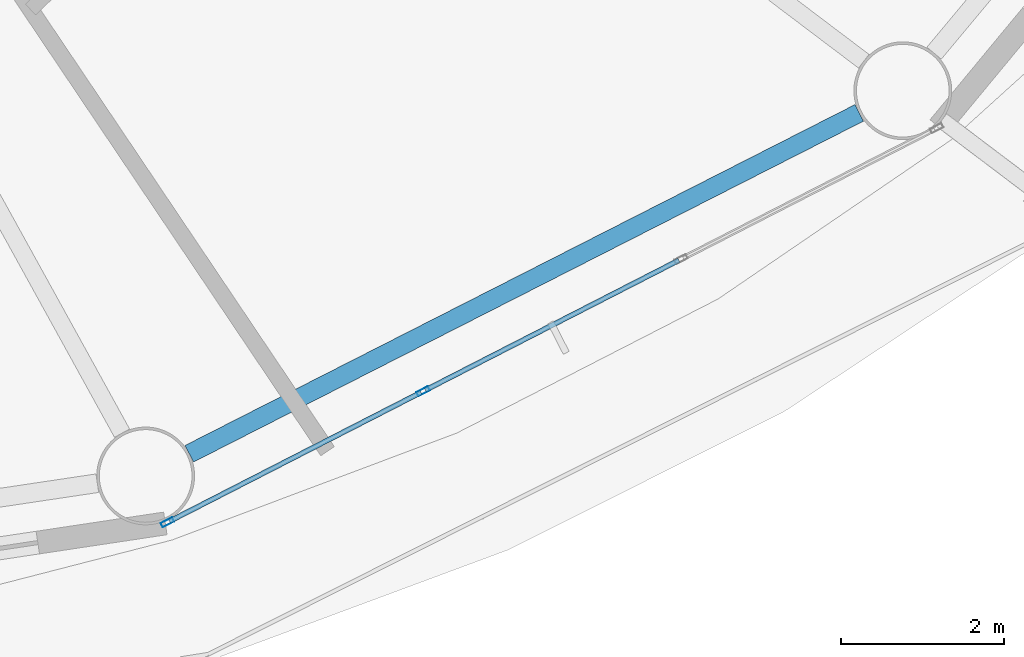
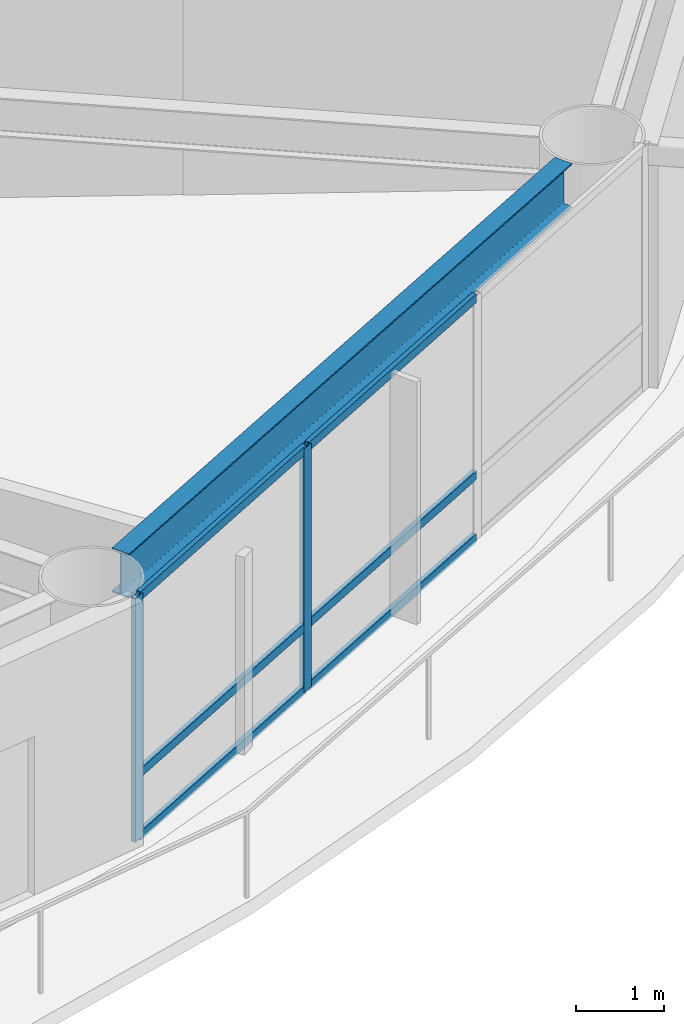
# One storey, part 4 of 24: 8 members, 1 beam, 1 element without a shape of its own.
"""IFC4 building model written with IfcOpenShell, lengths in metres."""

import ifcopenshell
import ifcopenshell.guid

model = None  # the IFC model being written
_history = None  # IfcOwnerHistory: only IFC2X3 demands one
_inside = {}  # id of a spatial element -> (the spatial element, [elements in it])
_under = {}  # id of a project, library or spatial element -> (it, [spatial elements below it])
_declared = {}  # id of a project -> (the project, [libraries it declares])
_typed = {}  # id of a type object -> (the type object, [elements of that type])
_made_of = {}  # id of a material, layer set ... -> (it, [elements and type objects made of it])


def new_model(schema):
    """Start an empty IFC model of exactly this schema.

    Asked for "IFC4X3", IfcOpenShell would pick the latest addendum, in which some entities
    have other attributes; the version numbers below select the first issue.
    IFC2X3 requires an IfcOwnerHistory on every rooted entity: one is made here for all.
    """
    global model, _history
    if schema == "IFC4X3":
        model = ifcopenshell.file(schema_version=(4, 3, 0, 0))
    else:
        model = ifcopenshell.file(schema=schema)
    _inside.clear()
    _under.clear()
    _declared.clear()
    _typed.clear()
    _made_of.clear()
    _history = None
    if model.schema == "IFC2X3":
        org = make("IfcOrganization", Name="unknown")
        user = make(
            "IfcPersonAndOrganization",
            ThePerson=make("IfcPerson", FamilyName="unknown"),
            TheOrganization=org,
        )
        app = make(
            "IfcApplication",
            ApplicationDeveloper=org,
            Version="unknown",
            ApplicationFullName="unknown",
            ApplicationIdentifier="unknown",
        )
        _history = make(
            "IfcOwnerHistory",
            OwningUser=user,
            OwningApplication=app,
            ChangeAction="ADDED",
            CreationDate=0,
        )
    return model


def make(cls, **values):
    """One entity of the class cls with the attributes given. An attribute that is None is left unset."""
    return model.create_entity(
        cls, **{name: value for name, value in values.items() if value is not None}
    )


def rooted(cls, **values):
    """An entity with a GlobalId (a new one), such as an element, a storey or a relation."""
    return make(cls, GlobalId=ifcopenshell.guid.new(), OwnerHistory=_history, **values)


def si_unit(unit_type, name, prefix=None):
    """IfcSIUnit, for example si_unit("LENGTHUNIT", "METRE", prefix="MILLI")."""
    return make("IfcSIUnit", UnitType=unit_type, Prefix=prefix, Name=name)


def assignment(units):
    """IfcUnitAssignment: the units of a project."""
    return None if units is None else make("IfcUnitAssignment", Units=units)


def point(xyz):
    """IfcCartesianPoint."""
    return None if xyz is None else make("IfcCartesianPoint", Coordinates=xyz)


def direction(xyz):
    """IfcDirection."""
    return None if xyz is None else make("IfcDirection", DirectionRatios=xyz)


def frame(location, z_axis=None, x_axis=None):
    """IfcAxis2Placement3D, a coordinate frame: its origin and axes. An axis left out is left unset."""
    return make(
        "IfcAxis2Placement3D",
        Location=point(location),
        Axis=direction(z_axis),
        RefDirection=direction(x_axis),
    )


def frame_2d(location, x_axis=None):
    """IfcAxis2Placement2D, a coordinate frame in the plane: its origin and x axis."""
    return make(
        "IfcAxis2Placement2D", Location=point(location), RefDirection=direction(x_axis)
    )


def origin():
    """The frame at (0, 0, 0) with its axes left unset."""
    return frame((0.0, 0.0, 0.0))


def origin_2d():
    """The frame at (0, 0) in the plane with its x axis left unset."""
    return frame_2d((0.0, 0.0))


def place(relative_to, where):
    """IfcLocalPlacement: puts the frame where relative to a parent placement (None: the world)."""
    return make(
        "IfcLocalPlacement", PlacementRelTo=relative_to, RelativePlacement=where
    )


def context(
    kind, dimensions, precision=None, world=None, true_north=None, identifier=None
):
    """IfcGeometricRepresentationContext, for example the 3D "Model" context."""
    return make(
        "IfcGeometricRepresentationContext",
        ContextIdentifier=identifier,
        ContextType=kind,
        CoordinateSpaceDimension=dimensions,
        Precision=precision,
        WorldCoordinateSystem=world,
        TrueNorth=true_north,
    )


def subcontext(parent, identifier, kind, view, scale=None):
    """IfcGeometricRepresentationSubContext, for example "Body" below "Model"."""
    return make(
        "IfcGeometricRepresentationSubContext",
        ContextIdentifier=identifier,
        ContextType=kind,
        ParentContext=parent,
        TargetScale=scale,
        TargetView=view,
    )


def project(units=None, contexts=None):
    """IfcProject with its units and contexts."""
    return rooted(
        "IfcProject",
        Name="project",
        RepresentationContexts=contexts,
        UnitsInContext=assignment(units),
    )


def spatial(cls, under=None, at=None, **own):
    """A site, building, storey or space (cls), placed at a placement, below another one or the project."""
    s = rooted(cls, ObjectPlacement=at, **own)
    if under is not None:
        _under.setdefault(under.id(), (under, []))[1].append(s)
    return s


def profile(cls, at=None, kind="AREA", **sizes):
    """A parametric profile (cls). Its sizes go by their IFC names, for example OverallWidth=200.0."""
    return make(cls, ProfileType=kind, Position=at, **sizes)


def hollow_rectangle(**sizes):
    """IfcRectangleHollowProfileDef."""
    return profile("IfcRectangleHollowProfileDef", **sizes)


def i_section(**sizes):
    """IfcIShapeProfileDef."""
    return profile("IfcIShapeProfileDef", **sizes)


def extrude(swept, where, along, depth):
    """IfcExtrudedAreaSolid: the profile swept, set in the frame where, extruded along a direction by depth."""
    return make(
        "IfcExtrudedAreaSolid",
        SweptArea=swept,
        Position=where,
        ExtrudedDirection=direction(along),
        Depth=depth,
    )


def shape(context_of_items, identifier, shape_type, items):
    """IfcShapeRepresentation: the items that make up one representation, for example the "Body"."""
    return make(
        "IfcShapeRepresentation",
        ContextOfItems=context_of_items,
        RepresentationIdentifier=identifier,
        RepresentationType=shape_type,
        Items=items,
    )


def material(Name=None, Category=None):
    """IfcMaterial."""
    return make("IfcMaterial", Name=Name, Category=Category)


def layer(
    of_material, thickness, ventilated=None, Name=None, Category=None, Priority=None
):
    """IfcMaterialLayer: one layer of a wall or slab, of a material (None: an air gap)."""
    return make(
        "IfcMaterialLayer",
        Material=of_material,
        LayerThickness=thickness,
        IsVentilated=ventilated,
        Name=Name,
        Category=Category,
        Priority=Priority,
    )


def layer_set(layers, Name=None):
    """IfcMaterialLayerSet."""
    return make("IfcMaterialLayerSet", MaterialLayers=layers, LayerSetName=Name)


def material_profile(
    of_material, cross_section, Name=None, Category=None, Priority=None
):
    """IfcMaterialProfile: a cross section and its material."""
    return make(
        "IfcMaterialProfile",
        Name=Name,
        Material=of_material,
        Profile=cross_section,
        Priority=Priority,
        Category=Category,
    )


def profile_set(profiles, Name=None, composite=None):
    """IfcMaterialProfileSet."""
    return make(
        "IfcMaterialProfileSet",
        Name=Name,
        MaterialProfiles=profiles,
        CompositeProfile=composite,
    )


def made_of(thing, what):
    """Note that an element or type object is made of a material, layer set ...; save() writes the relation."""
    if what is not None:
        _made_of.setdefault(what.id(), (what, []))[1].append(thing)
    return thing


def type_object(cls, material=None, **own):
    """A type object (cls), such as IfcWallType, which elements share."""
    return made_of(rooted(cls, **own), material)


def element(
    cls,
    number,
    at=None,
    inside=None,
    cuts=None,
    type_object=None,
    material=None,
    context=None,
    identifier="Body",
    shape_type=None,
    held_by="IfcProductDefinitionShape",
    body=None,
    shapes=None,
    **own,
):
    """One element of the class cls, such as IfcWall. Its Tag is "e" and its number.

    at: its placement. inside: the storey or other place that contains it. cuts: it is an
    opening in that element (IfcRelVoidsElement). A single representation is given by context,
    identifier, shape_type and body (its items); several are given by shapes. held_by: the class
    of the entity that holds the representations. save() writes the other relations.
    """
    e = rooted(cls, Tag="e%d" % number, ObjectPlacement=at, **own)
    if body is not None:
        shapes = [shape(context, identifier, shape_type, body)]
    if shapes is not None:
        e.Representation = make(held_by, Representations=shapes)
    if inside is not None:
        _inside.setdefault(inside.id(), (inside, []))[1].append(e)
    if cuts is not None:
        rooted(
            "IfcRelVoidsElement", RelatingBuildingElement=cuts, RelatedOpeningElement=e
        )
    if type_object is not None:
        _typed.setdefault(type_object.id(), (type_object, []))[1].append(e)
    return made_of(e, material)


def aggregate(whole, parts):
    """IfcRelAggregates: a whole, such as a stair, and the parts it consists of."""
    return rooted("IfcRelAggregates", RelatingObject=whole, RelatedObjects=parts)


def save(model, path):
    """Write the relations noted so far, then the file.

    IfcRelAggregates (storeys below a building ...), IfcRelContainedInSpatialStructure (elements
    in a storey), IfcRelDefinesByType, IfcRelAssociatesMaterial and IfcRelDeclares: one each for
    every whole, place, type object, material and project.
    """
    for whole, parts in _under.values():
        aggregate(whole, parts)
    for where, things in _inside.values():
        rooted(
            "IfcRelContainedInSpatialStructure",
            RelatedElements=things,
            RelatingStructure=where,
        )
    for kind, things in _typed.values():
        rooted("IfcRelDefinesByType", RelatedObjects=things, RelatingType=kind)
    for what, things in _made_of.values():
        rooted("IfcRelAssociatesMaterial", RelatedObjects=things, RelatingMaterial=what)
    for by, libraries in _declared.values():
        rooted("IfcRelDeclares", RelatingContext=by, RelatedDefinitions=libraries)
    model.write(path)


model = new_model("IFC4")

# Units and contexts
model_context = context("Model", 3, precision=1e-05, world=origin(), true_north=direction((0.0, 1.0)))
body_context = subcontext(model_context, "Body", "Model", "MODEL_VIEW")
ifc_project = project(units=[si_unit("LENGTHUNIT", "METRE"), si_unit("AREAUNIT", "SQUARE_METRE"), si_unit("VOLUMEUNIT", "CUBIC_METRE"), si_unit("PLANEANGLEUNIT", "RADIAN"), si_unit("MASSUNIT", "GRAM", prefix="KILO")], contexts=[model_context])

# Site, building, storey
site_placement = place(None, origin())
site = spatial("IfcSite", under=ifc_project, at=site_placement, CompositionType="ELEMENT")
building_placement = place(site_placement, origin())
building = spatial("IfcBuilding", under=site, at=building_placement, Name="Sarneth Arch Tower", CompositionType="ELEMENT")
storey_placement = place(building_placement, frame((0.0, 0.0, 105.60009765625)))
storey = spatial("IfcBuildingStorey", under=building, at=storey_placement, Name="L26", CompositionType="ELEMENT", Elevation=105.60009765625)

# Beam
ifc_material_1 = material(Name="Steel S355", Category="steel")
ifc_material_profile_1 = material_profile(ifc_material_1, i_section(OverallWidth=0.22900390625, OverallDepth=0.612060546875, WebThickness=0.011962890625, FlangeThickness=0.01953125, FilletRadius=0.01904296875, at=origin_2d()), Name="W610x125")
ifc_profile_set_1 = profile_set([ifc_material_profile_1], Name="Steel S355")
beam_type = type_object("IfcBeamType", Name="BM-SPAN-610C", PredefinedType="SPANDREL", material=ifc_profile_set_1)
beam_placement = place(storey_placement, frame((59.64501953125, 22.131591796875, 3.073974609375), z_axis=(0.891259443414, 0.453493775619, 0.0), x_axis=(-0.453493775619, 0.891259443414, 0.0)))
element("IfcBeam", 1, at=beam_placement, inside=storey, type_object=beam_type, Name="L26 Perimeter spandrel beam 14", PredefinedType="SPANDREL", context=body_context, shape_type="SweptSolid", body=[
    extrude(i_section(OverallWidth=0.22900390625, OverallDepth=0.612060546875, WebThickness=0.011962890625, FlangeThickness=0.01953125, FilletRadius=0.01904296875, at=origin_2d()), origin(), (0.0, 0.0, 1.0), 9.220458984375),
])

# Curtain wall, members
ifc_material_2 = material(Name="Anodised aluminium Type AA25 and solar-control low-e laminated IGU", Category="aluminium")
ifc_layer = layer(ifc_material_2, 0.159912109375)
ifc_layer_set = layer_set([ifc_layer], Name="Anodised aluminium Type AA25 and solar-control low-e laminated IGU")
curtain_wall_type = type_object("IfcCurtainWallType", Name="CW-HOTEL-MID", PredefinedType="NOTDEFINED", material=ifc_layer_set)
curtain_wall_placement = place(storey_placement, origin())
curtain_wall = element("IfcCurtainWall", 2, at=curtain_wall_placement, inside=storey, type_object=curtain_wall_type, Name="L26 Unitised curtain wall facet 14", PredefinedType="NOTDEFINED")
ifc_material_3 = material(Name="Anodised Aluminium 6063-T6", Category="aluminium")
ifc_material_profile_2 = material_profile(ifc_material_3, hollow_rectangle(XDim=0.06005859375, YDim=0.159912109375, WallThickness=0.00390625, at=origin_2d()), Name="AL-MULL-160x60x4")
ifc_profile_set_2 = profile_set([ifc_material_profile_2], Name="Anodised Aluminium 6063-T6")
member_type_1 = type_object("IfcMemberType", Name="CW-MULLION", PredefinedType="MULLION", material=ifc_profile_set_2)
member_1_placement = place(storey_placement, frame((59.3779296875, 21.291015625, 0.0), z_axis=(0.0, 0.0, 1.0), x_axis=(-0.456031365356, 0.889963703649, 0.0)))
member_1 = element("IfcMember", 3, at=member_1_placement, type_object=member_type_1, Name="CW-SYS-4 mullion 1", PredefinedType="MULLION", context=body_context, shape_type="SweptSolid", body=[
    extrude(hollow_rectangle(XDim=0.06005859375, YDim=0.159912109375, WallThickness=0.00390625, at=origin_2d()), origin(), (0.0, 0.0, 1.0), 3.3798828125),
])
member_2_placement = place(storey_placement, frame((62.51416015625, 22.898193359375, 0.0), z_axis=(0.0, 0.0, 1.0), x_axis=(-0.456031365356, 0.889963703649, 0.0)))
member_2 = element("IfcMember", 4, at=member_2_placement, type_object=member_type_1, Name="CW-SYS-4 mullion 2", PredefinedType="MULLION", context=body_context, shape_type="SweptSolid", body=[
    extrude(hollow_rectangle(XDim=0.06005859375, YDim=0.159912109375, WallThickness=0.00390625, at=origin_2d()), origin(), (0.0, 0.0, 1.0), 3.3798828125),
])
ifc_material_4 = material(Name="Anodised Aluminium 6063-T6", Category="aluminium")
ifc_material_profile_3 = material_profile(ifc_material_4, hollow_rectangle(XDim=0.06005859375, YDim=0.1201171875, WallThickness=0.00390625, at=origin_2d()), Name="AL-TRAN-120x60x4")
ifc_profile_set_3 = profile_set([ifc_material_profile_3], Name="Anodised Aluminium 6063-T6")
member_type_2 = type_object("IfcMemberType", Name="CW-TRANSOM", PredefinedType="USERDEFINED", material=ifc_profile_set_3)
member_3_placement = place(storey_placement, frame((59.404541015625, 21.3046875, 0.02978515625), z_axis=(0.889957563627, 0.456043347658, 0.0), x_axis=(-0.456043347658, 0.889957563627, 0.0)))
member_3 = element("IfcMember", 5, at=member_3_placement, type_object=member_type_2, Name="CW-SYS-4 transom 1.1", ObjectType="TRANSOM", PredefinedType="USERDEFINED", context=body_context, shape_type="SweptSolid", body=[
    extrude(hollow_rectangle(XDim=0.06005859375, YDim=0.1201171875, WallThickness=0.00390625, at=origin_2d()), origin(), (0.0, 0.0, 1.0), 3.464111328125),
])
member_4_placement = place(storey_placement, frame((59.404541015625, 21.3046875, 0.89990234375), z_axis=(0.889957563627, 0.456043347658, 0.0), x_axis=(-0.456043347658, 0.889957563627, 0.0)))
member_4 = element("IfcMember", 6, at=member_4_placement, type_object=member_type_2, Name="CW-SYS-4 transom 1.2", ObjectType="TRANSOM", PredefinedType="USERDEFINED", context=body_context, shape_type="SweptSolid", body=[
    extrude(hollow_rectangle(XDim=0.06005859375, YDim=0.1201171875, WallThickness=0.00390625, at=origin_2d()), origin(), (0.0, 0.0, 1.0), 3.464111328125),
])
member_5_placement = place(storey_placement, frame((59.404541015625, 21.3046875, 3.349853515625), z_axis=(0.889957563627, 0.456043347658, 0.0), x_axis=(-0.456043347658, 0.889957563627, 0.0)))
member_5 = element("IfcMember", 7, at=member_5_placement, type_object=member_type_2, Name="CW-SYS-4 transom 1.3", ObjectType="TRANSOM", PredefinedType="USERDEFINED", context=body_context, shape_type="SweptSolid", body=[
    extrude(hollow_rectangle(XDim=0.06005859375, YDim=0.1201171875, WallThickness=0.00390625, at=origin_2d()), origin(), (0.0, 0.0, 1.0), 3.464111328125),
])
member_6_placement = place(storey_placement, frame((62.540771484375, 22.911865234375, 0.02978515625), z_axis=(0.889981813856, 0.455996020823, 0.0), x_axis=(-0.455996020823, 0.889981813856, 0.0)))
member_6 = element("IfcMember", 8, at=member_6_placement, type_object=member_type_2, Name="CW-SYS-4 transom 2.1", ObjectType="TRANSOM", PredefinedType="USERDEFINED", context=body_context, shape_type="SweptSolid", body=[
    extrude(hollow_rectangle(XDim=0.06005859375, YDim=0.1201171875, WallThickness=0.00390625, at=origin_2d()), origin(), (0.0, 0.0, 1.0), 3.494140625),
])
member_7_placement = place(storey_placement, frame((62.540771484375, 22.911865234375, 0.89990234375), z_axis=(0.889981813856, 0.455996020823, 0.0), x_axis=(-0.455996020823, 0.889981813856, 0.0)))
member_7 = element("IfcMember", 9, at=member_7_placement, type_object=member_type_2, Name="CW-SYS-4 transom 2.2", ObjectType="TRANSOM", PredefinedType="USERDEFINED", context=body_context, shape_type="SweptSolid", body=[
    extrude(hollow_rectangle(XDim=0.06005859375, YDim=0.1201171875, WallThickness=0.00390625, at=origin_2d()), origin(), (0.0, 0.0, 1.0), 3.494140625),
])
member_8_placement = place(storey_placement, frame((62.540771484375, 22.911865234375, 3.349853515625), z_axis=(0.889981813856, 0.455996020823, 0.0), x_axis=(-0.455996020823, 0.889981813856, 0.0)))
member_8 = element("IfcMember", 10, at=member_8_placement, type_object=member_type_2, Name="CW-SYS-4 transom 2.3", ObjectType="TRANSOM", PredefinedType="USERDEFINED", context=body_context, shape_type="SweptSolid", body=[
    extrude(hollow_rectangle(XDim=0.06005859375, YDim=0.1201171875, WallThickness=0.00390625, at=origin_2d()), origin(), (0.0, 0.0, 1.0), 3.494140625),
])
aggregate(curtain_wall, [member_1, member_2, member_3, member_4, member_5, member_6, member_7, member_8])

save(model, "model.ifc")
